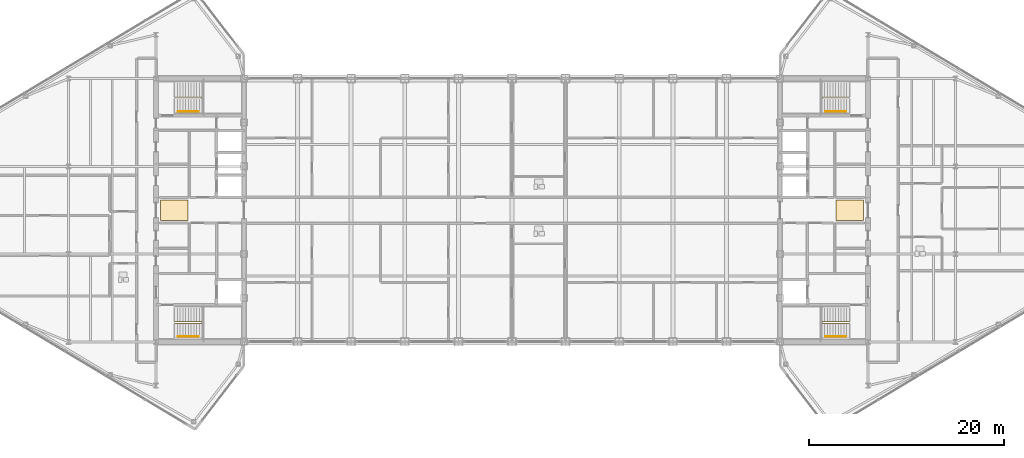
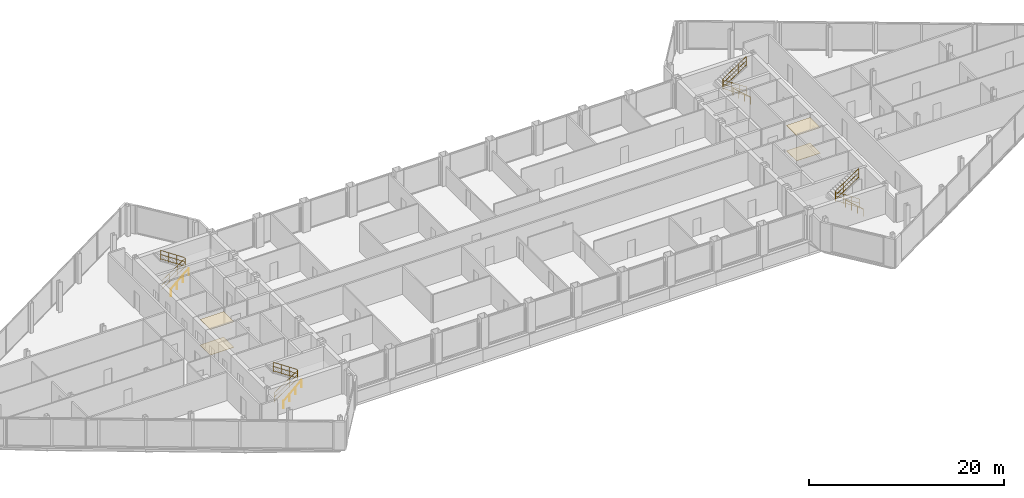
# One storey, part 28 of 29: 8 railings, 4 coverings.
"""IFC4 building model written with IfcOpenShell, lengths in metres."""

import ifcopenshell
import ifcopenshell.guid

model = None  # the IFC model being written
_history = None  # IfcOwnerHistory: only IFC2X3 demands one
_inside = {}  # id of a spatial element -> (the spatial element, [elements in it])
_under = {}  # id of a project, library or spatial element -> (it, [spatial elements below it])
_declared = {}  # id of a project -> (the project, [libraries it declares])
_typed = {}  # id of a type object -> (the type object, [elements of that type])
_made_of = {}  # id of a material, layer set ... -> (it, [elements and type objects made of it])


def new_model(schema):
    """Start an empty IFC model of exactly this schema.

    Asked for "IFC4X3", IfcOpenShell would pick the latest addendum, in which some entities
    have other attributes; the version numbers below select the first issue.
    IFC2X3 requires an IfcOwnerHistory on every rooted entity: one is made here for all.
    """
    global model, _history
    if schema == "IFC4X3":
        model = ifcopenshell.file(schema_version=(4, 3, 0, 0))
    else:
        model = ifcopenshell.file(schema=schema)
    _inside.clear()
    _under.clear()
    _declared.clear()
    _typed.clear()
    _made_of.clear()
    _history = None
    if model.schema == "IFC2X3":
        org = make("IfcOrganization", Name="unknown")
        user = make(
            "IfcPersonAndOrganization",
            ThePerson=make("IfcPerson", FamilyName="unknown"),
            TheOrganization=org,
        )
        app = make(
            "IfcApplication",
            ApplicationDeveloper=org,
            Version="unknown",
            ApplicationFullName="unknown",
            ApplicationIdentifier="unknown",
        )
        _history = make(
            "IfcOwnerHistory",
            OwningUser=user,
            OwningApplication=app,
            ChangeAction="ADDED",
            CreationDate=0,
        )
    return model


def make(cls, **values):
    """One entity of the class cls with the attributes given. An attribute that is None is left unset."""
    return model.create_entity(
        cls, **{name: value for name, value in values.items() if value is not None}
    )


def rooted(cls, **values):
    """An entity with a GlobalId (a new one), such as an element, a storey or a relation."""
    return make(cls, GlobalId=ifcopenshell.guid.new(), OwnerHistory=_history, **values)


def si_unit(unit_type, name, prefix=None):
    """IfcSIUnit, for example si_unit("LENGTHUNIT", "METRE", prefix="MILLI")."""
    return make("IfcSIUnit", UnitType=unit_type, Prefix=prefix, Name=name)


def assignment(units):
    """IfcUnitAssignment: the units of a project."""
    return None if units is None else make("IfcUnitAssignment", Units=units)


def point(xyz):
    """IfcCartesianPoint."""
    return None if xyz is None else make("IfcCartesianPoint", Coordinates=xyz)


def direction(xyz):
    """IfcDirection."""
    return None if xyz is None else make("IfcDirection", DirectionRatios=xyz)


def frame(location, z_axis=None, x_axis=None):
    """IfcAxis2Placement3D, a coordinate frame: its origin and axes. An axis left out is left unset."""
    return make(
        "IfcAxis2Placement3D",
        Location=point(location),
        Axis=direction(z_axis),
        RefDirection=direction(x_axis),
    )


def frame_2d(location, x_axis=None):
    """IfcAxis2Placement2D, a coordinate frame in the plane: its origin and x axis."""
    return make(
        "IfcAxis2Placement2D", Location=point(location), RefDirection=direction(x_axis)
    )


def origin():
    """The frame at (0, 0, 0) with its axes left unset."""
    return frame((0.0, 0.0, 0.0))


def origin_2d():
    """The frame at (0, 0) in the plane with its x axis left unset."""
    return frame_2d((0.0, 0.0))


def place(relative_to, where):
    """IfcLocalPlacement: puts the frame where relative to a parent placement (None: the world)."""
    return make(
        "IfcLocalPlacement", PlacementRelTo=relative_to, RelativePlacement=where
    )


def context(
    kind, dimensions, precision=None, world=None, true_north=None, identifier=None
):
    """IfcGeometricRepresentationContext, for example the 3D "Model" context."""
    return make(
        "IfcGeometricRepresentationContext",
        ContextIdentifier=identifier,
        ContextType=kind,
        CoordinateSpaceDimension=dimensions,
        Precision=precision,
        WorldCoordinateSystem=world,
        TrueNorth=true_north,
    )


def subcontext(parent, identifier, kind, view, scale=None):
    """IfcGeometricRepresentationSubContext, for example "Body" below "Model"."""
    return make(
        "IfcGeometricRepresentationSubContext",
        ContextIdentifier=identifier,
        ContextType=kind,
        ParentContext=parent,
        TargetScale=scale,
        TargetView=view,
    )


def project(units=None, contexts=None):
    """IfcProject with its units and contexts."""
    return rooted(
        "IfcProject",
        Name="project",
        RepresentationContexts=contexts,
        UnitsInContext=assignment(units),
    )


def spatial(cls, under=None, at=None, **own):
    """A site, building, storey or space (cls), placed at a placement, below another one or the project."""
    s = rooted(cls, ObjectPlacement=at, **own)
    if under is not None:
        _under.setdefault(under.id(), (under, []))[1].append(s)
    return s


def polyline(points):
    """IfcPolyline through the points."""
    return make("IfcPolyline", Points=[point(p) for p in points])


def profile(cls, at=None, kind="AREA", **sizes):
    """A parametric profile (cls). Its sizes go by their IFC names, for example OverallWidth=200.0."""
    return make(cls, ProfileType=kind, Position=at, **sizes)


def circle(**sizes):
    """IfcCircleProfileDef."""
    return profile("IfcCircleProfileDef", **sizes)


def outline(outer, holes=None, kind="AREA"):
    """IfcArbitraryClosedProfileDef: a profile drawn as a closed curve; with holes, ...WithVoids."""
    if holes is None:
        return make("IfcArbitraryClosedProfileDef", ProfileType=kind, OuterCurve=outer)
    return make(
        "IfcArbitraryProfileDefWithVoids",
        ProfileType=kind,
        OuterCurve=outer,
        InnerCurves=holes,
    )


def extrude(swept, where, along, depth):
    """IfcExtrudedAreaSolid: the profile swept, set in the frame where, extruded along a direction by depth."""
    return make(
        "IfcExtrudedAreaSolid",
        SweptArea=swept,
        Position=where,
        ExtrudedDirection=direction(along),
        Depth=depth,
    )


def shape(context_of_items, identifier, shape_type, items):
    """IfcShapeRepresentation: the items that make up one representation, for example the "Body"."""
    return make(
        "IfcShapeRepresentation",
        ContextOfItems=context_of_items,
        RepresentationIdentifier=identifier,
        RepresentationType=shape_type,
        Items=items,
    )


def material(Name=None, Category=None):
    """IfcMaterial."""
    return make("IfcMaterial", Name=Name, Category=Category)


def layer(
    of_material, thickness, ventilated=None, Name=None, Category=None, Priority=None
):
    """IfcMaterialLayer: one layer of a wall or slab, of a material (None: an air gap)."""
    return make(
        "IfcMaterialLayer",
        Material=of_material,
        LayerThickness=thickness,
        IsVentilated=ventilated,
        Name=Name,
        Category=Category,
        Priority=Priority,
    )


def layer_set(layers, Name=None):
    """IfcMaterialLayerSet."""
    return make("IfcMaterialLayerSet", MaterialLayers=layers, LayerSetName=Name)


def made_of(thing, what):
    """Note that an element or type object is made of a material, layer set ...; save() writes the relation."""
    if what is not None:
        _made_of.setdefault(what.id(), (what, []))[1].append(thing)
    return thing


def type_object(cls, material=None, **own):
    """A type object (cls), such as IfcWallType, which elements share."""
    return made_of(rooted(cls, **own), material)


def element(
    cls,
    number,
    at=None,
    inside=None,
    cuts=None,
    type_object=None,
    material=None,
    context=None,
    identifier="Body",
    shape_type=None,
    held_by="IfcProductDefinitionShape",
    body=None,
    shapes=None,
    **own,
):
    """One element of the class cls, such as IfcWall. Its Tag is "e" and its number.

    at: its placement. inside: the storey or other place that contains it. cuts: it is an
    opening in that element (IfcRelVoidsElement). A single representation is given by context,
    identifier, shape_type and body (its items); several are given by shapes. held_by: the class
    of the entity that holds the representations. save() writes the other relations.
    """
    e = rooted(cls, Tag="e%d" % number, ObjectPlacement=at, **own)
    if body is not None:
        shapes = [shape(context, identifier, shape_type, body)]
    if shapes is not None:
        e.Representation = make(held_by, Representations=shapes)
    if inside is not None:
        _inside.setdefault(inside.id(), (inside, []))[1].append(e)
    if cuts is not None:
        rooted(
            "IfcRelVoidsElement", RelatingBuildingElement=cuts, RelatedOpeningElement=e
        )
    if type_object is not None:
        _typed.setdefault(type_object.id(), (type_object, []))[1].append(e)
    return made_of(e, material)


def aggregate(whole, parts):
    """IfcRelAggregates: a whole, such as a stair, and the parts it consists of."""
    return rooted("IfcRelAggregates", RelatingObject=whole, RelatedObjects=parts)


def save(model, path):
    """Write the relations noted so far, then the file.

    IfcRelAggregates (storeys below a building ...), IfcRelContainedInSpatialStructure (elements
    in a storey), IfcRelDefinesByType, IfcRelAssociatesMaterial and IfcRelDeclares: one each for
    every whole, place, type object, material and project.
    """
    for whole, parts in _under.values():
        aggregate(whole, parts)
    for where, things in _inside.values():
        rooted(
            "IfcRelContainedInSpatialStructure",
            RelatedElements=things,
            RelatingStructure=where,
        )
    for kind, things in _typed.values():
        rooted("IfcRelDefinesByType", RelatedObjects=things, RelatingType=kind)
    for what, things in _made_of.values():
        rooted("IfcRelAssociatesMaterial", RelatedObjects=things, RelatingMaterial=what)
    for by, libraries in _declared.values():
        rooted("IfcRelDeclares", RelatingContext=by, RelatedDefinitions=libraries)
    model.write(path)


model = new_model("IFC4")

# Units and contexts
model_context = context("Model", 3, precision=1e-05, world=origin(), true_north=direction((0.0, 1.0)))
body_context = subcontext(model_context, "Body", "Model", "MODEL_VIEW")
ifc_project = project(units=[si_unit("LENGTHUNIT", "METRE"), si_unit("AREAUNIT", "SQUARE_METRE"), si_unit("VOLUMEUNIT", "CUBIC_METRE"), si_unit("PLANEANGLEUNIT", "RADIAN"), si_unit("MASSUNIT", "GRAM", prefix="KILO")], contexts=[model_context])

# Site, building, storey
site_placement = place(None, origin())
site = spatial("IfcSite", under=ifc_project, at=site_placement, CompositionType="ELEMENT")
building_placement = place(site_placement, origin())
building = spatial("IfcBuilding", under=site, at=building_placement, Name="Seokmaru Belvedere", CompositionType="ELEMENT")
storey_placement = place(building_placement, frame((0.0, 0.0, 239.39990234375)))
storey = spatial("IfcBuildingStorey", under=building, at=storey_placement, Name="L63", CompositionType="ELEMENT", Elevation=239.39990234375)

# Coverings
ifc_material_1 = material(Name="Engineered White Oak Timber", Category="wood")
ifc_layer_1 = layer(ifc_material_1, 0.02197265625)
ifc_layer_set_1 = layer_set([ifc_layer_1], Name="Engineered White Oak Timber")
covering_type_1 = type_object("IfcCoveringType", Name="Engineered Oak Residence Floor Finish 22", PredefinedType="FLOORING", material=ifc_layer_set_1)
covering_1_placement = place(storey_placement, origin())
element("IfcCovering", 1, at=covering_1_placement, inside=storey, type_object=covering_type_1, Name="L63 W Foyer Floor Finish", PredefinedType="FLOORING", context=body_context, shape_type="SweptSolid", body=[
    extrude(outline(polyline([(-36.050048828125, -1.050048828125), (-33.25, -1.050048828125), (-33.25, 1.050048828125), (-36.050048828125, 1.050048828125), (-36.050048828125, -1.050048828125)])), origin(), (0.0, 0.0, 1.0), 0.022216796875),
])
covering_2_placement = place(storey_placement, origin())
element("IfcCovering", 2, at=covering_2_placement, inside=storey, type_object=covering_type_1, Name="L63 E Foyer Floor Finish", PredefinedType="FLOORING", context=body_context, shape_type="SweptSolid", body=[
    extrude(outline(polyline([(33.25, -1.050048828125), (36.050048828125, -1.050048828125), (36.050048828125, 1.050048828125), (33.25, 1.050048828125), (33.25, -1.050048828125)])), origin(), (0.0, 0.0, 1.0), 0.022216796875),
])
ifc_material_2 = material(Name="Fire-Rated Gypsum Shaftwall")
ifc_layer_2 = layer(ifc_material_2, 0.02490234375)
ifc_layer_set_2 = layer_set([ifc_layer_2], Name="Fire-Rated Gypsum Shaftwall")
covering_type_2 = type_object("IfcCoveringType", Name="Perforated Acoustic Gypsum Suspended Ceiling 25", PredefinedType="CEILING", material=ifc_layer_set_2)
covering_3_placement = place(storey_placement, frame((0.0, 0.0, 3.18017578125)))
element("IfcCovering", 3, at=covering_3_placement, inside=storey, type_object=covering_type_2, Name="L63 W Lift Foyer Acoustic Ceiling", PredefinedType="CEILING", context=body_context, shape_type="SweptSolid", body=[
    extrude(outline(polyline([(-36.050048828125, -1.050048828125), (-33.25, -1.050048828125), (-33.25, 1.050048828125), (-36.050048828125, 1.050048828125), (-36.050048828125, -1.050048828125)])), origin(), (0.0, 0.0, 1.0), 0.02490234375),
])
covering_4_placement = place(storey_placement, frame((0.0, 0.0, 3.18017578125)))
element("IfcCovering", 4, at=covering_4_placement, inside=storey, type_object=covering_type_2, Name="L63 E Lift Foyer Acoustic Ceiling", PredefinedType="CEILING", context=body_context, shape_type="SweptSolid", body=[
    extrude(outline(polyline([(33.25, -1.050048828125), (36.050048828125, -1.050048828125), (36.050048828125, 1.050048828125), (33.25, 1.050048828125), (33.25, -1.050048828125)])), origin(), (0.0, 0.0, 1.0), 0.02490234375),
])

# Railings
ifc_material_3 = material(Name="Stainless Steel 316", Category="steel")
railing_type_1 = type_object("IfcRailingType", Name="Stainless Steel Wall and Flight Handrail 900", PredefinedType="HANDRAIL", material=ifc_material_3)
for number, where, name in (
    (5, (-34.25, -12.949951171875, 0.0), "L63 Stair ST-W1 Wall Handrail"),
    (6, (-34.25, 10.110107421875, 0.0), "L63 Stair ST-W2 Wall Handrail"),
):
    element("IfcRailing", number, at=place(storey_placement, frame(where)), inside=storey, type_object=railing_type_1, Name=name, PredefinedType="HANDRAIL", context=body_context, shape_type="SweptSolid", body=[
        extrude(circle(Radius=0.02392578125, at=origin_2d()), frame((0.0, 0.0, 0.8759765625), z_axis=(0.74595304797, 0.0, 0.665998536202), x_axis=(0.0, 1.0, 0.0)), (0.0, 0.0, 1.0), 2.8154296875),
        extrude(circle(Radius=0.02099609375, at=origin_2d()), origin(), (0.0, 0.0, 1.0), 0.851806640625),
        extrude(circle(Radius=0.02099609375, at=origin_2d()), frame((0.699951171875, 0.0, 0.625)), (0.0, 0.0, 1.0), 0.851806640625),
        extrude(circle(Radius=0.02099609375, at=origin_2d()), frame((1.400146484375, 0.0, 1.25)), (0.0, 0.0, 1.0), 0.851806640625),
        extrude(circle(Radius=0.02099609375, at=origin_2d()), frame((2.10009765625, 0.0, 1.875)), (0.0, 0.0, 1.0), 0.851806640625),
    ])
for number, where, name in (
    (7, (34.25, -12.949951171875, 0.0), "L63 Stair ST-E1 Wall Handrail"),
    (8, (34.25, 10.110107421875, 0.0), "L63 Stair ST-E2 Wall Handrail"),
):
    element("IfcRailing", number, at=place(storey_placement, frame(where)), inside=storey, type_object=railing_type_1, Name=name, PredefinedType="HANDRAIL", context=body_context, shape_type="SweptSolid", body=[
        extrude(circle(Radius=0.02392578125, at=origin_2d()), frame((0.0, 0.0, 0.8759765625), z_axis=(-0.74595304797, 0.0, 0.665998536202), x_axis=(0.0, -1.0, 0.0)), (0.0, 0.0, 1.0), 2.8154296875),
        extrude(circle(Radius=0.02099609375, at=origin_2d()), origin(), (0.0, 0.0, 1.0), 0.851806640625),
        extrude(circle(Radius=0.02099609375, at=origin_2d()), frame((-0.699951171875, 0.0, 0.625)), (0.0, 0.0, 1.0), 0.851806640625),
        extrude(circle(Radius=0.02099609375, at=origin_2d()), frame((-1.400146484375, 0.0, 1.25)), (0.0, 0.0, 1.0), 0.851806640625),
        extrude(circle(Radius=0.02099609375, at=origin_2d()), frame((-2.10009765625, 0.0, 1.875)), (0.0, 0.0, 1.0), 0.851806640625),
    ])
railing_type_2 = type_object("IfcRailingType", Name="Stair Well and Atrium Steel Guardrail 1200", PredefinedType="GUARDRAIL", material=ifc_material_3)
railing_1_placement = place(storey_placement, frame((-34.60009765625, -11.60009765625, 0.0)))
element("IfcRailing", 9, at=railing_1_placement, inside=storey, type_object=railing_type_2, Name="L63 Stair ST-W1 Inner Well Guardrail", PredefinedType="GUARDRAIL", context=body_context, shape_type="SweptSolid", body=[
    extrude(circle(Radius=0.02392578125, at=origin_2d()), frame((0.0, 0.0, 1.17578125), z_axis=(0.830911662861, 0.0, 0.55640435703), x_axis=(0.0, 1.0, 0.0)), (0.0, 0.0, 1.0), 3.369873046875),
    extrude(circle(Radius=0.02392578125, at=origin_2d()), frame((0.0, 0.0, 0.1201171875), z_axis=(0.830911662861, 0.0, 0.55640435703), x_axis=(0.0, 1.0, 0.0)), (0.0, 0.0, 1.0), 3.369873046875),
    extrude(circle(Radius=0.02392578125, at=origin_2d()), frame((0.0, 0.0, 0.659912109375), z_axis=(0.830911662861, 0.0, 0.55640435703), x_axis=(0.0, 1.0, 0.0)), (0.0, 0.0, 1.0), 3.369873046875),
    extrude(circle(Radius=0.02392578125, at=origin_2d()), frame((2.800048828125, 0.0, 3.05078125), z_axis=(0.0, 1.0, 0.0), x_axis=(-1.0, 0.0, 0.0)), (0.0, 0.0, 1.0), 0.14013671875),
    extrude(circle(Radius=0.02392578125, at=origin_2d()), frame((2.800048828125, 0.0, 1.9951171875), z_axis=(0.0, 1.0, 0.0), x_axis=(-1.0, 0.0, 0.0)), (0.0, 0.0, 1.0), 0.14013671875),
    extrude(circle(Radius=0.02392578125, at=origin_2d()), frame((2.800048828125, 0.0, 2.534912109375), z_axis=(0.0, 1.0, 0.0), x_axis=(-1.0, 0.0, 0.0)), (0.0, 0.0, 1.0), 0.14013671875),
    extrude(circle(Radius=0.02392578125, at=origin_2d()), frame((2.800048828125, 0.14013671875, 3.05078125), z_axis=(-0.830911662861, 0.0, 0.55640435703), x_axis=(0.0, -1.0, 0.0)), (0.0, 0.0, 1.0), 3.369873046875),
    extrude(circle(Radius=0.02392578125, at=origin_2d()), frame((2.800048828125, 0.14013671875, 1.9951171875), z_axis=(-0.830911662861, 0.0, 0.55640435703), x_axis=(0.0, -1.0, 0.0)), (0.0, 0.0, 1.0), 3.369873046875),
    extrude(circle(Radius=0.02392578125, at=origin_2d()), frame((2.800048828125, 0.14013671875, 2.534912109375), z_axis=(-0.830911662861, 0.0, 0.55640435703), x_axis=(0.0, -1.0, 0.0)), (0.0, 0.0, 1.0), 3.369873046875),
    extrude(circle(Radius=0.02099609375, at=origin_2d()), origin(), (0.0, 0.0, 1.0), 1.15185546875),
    extrude(circle(Radius=0.02099609375, at=origin_2d()), frame((0.933349609375, 0.0, 0.625)), (0.0, 0.0, 1.0), 1.15185546875),
    extrude(circle(Radius=0.02099609375, at=origin_2d()), frame((1.86669921875, 0.0, 1.25)), (0.0, 0.0, 1.0), 1.15185546875),
    extrude(circle(Radius=0.02099609375, at=origin_2d()), frame((2.800048828125, 0.0, 1.875)), (0.0, 0.0, 1.0), 1.15185546875),
    extrude(circle(Radius=0.02099609375, at=origin_2d()), frame((2.800048828125, 0.14013671875, 1.875)), (0.0, 0.0, 1.0), 1.15185546875),
    extrude(circle(Radius=0.02099609375, at=origin_2d()), frame((1.86669921875, 0.14013671875, 2.5)), (0.0, 0.0, 1.0), 1.15185546875),
    extrude(circle(Radius=0.02099609375, at=origin_2d()), frame((0.933349609375, 0.14013671875, 3.125)), (0.0, 0.0, 1.0), 1.15185546875),
    extrude(circle(Radius=0.02099609375, at=origin_2d()), frame((0.0, 0.14013671875, 3.75)), (0.0, 0.0, 1.0), 1.15185546875),
])
railing_2_placement = place(storey_placement, frame((-34.60009765625, 11.4599609375, 0.0)))
element("IfcRailing", 10, at=railing_2_placement, inside=storey, type_object=railing_type_2, Name="L63 Stair ST-W2 Inner Well Guardrail", PredefinedType="GUARDRAIL", context=body_context, shape_type="SweptSolid", body=[
    extrude(circle(Radius=0.02392578125, at=origin_2d()), frame((0.0, 0.0, 1.17578125), z_axis=(0.830911662861, 0.0, 0.55640435703), x_axis=(0.0, 1.0, 0.0)), (0.0, 0.0, 1.0), 3.369873046875),
    extrude(circle(Radius=0.02392578125, at=origin_2d()), frame((0.0, 0.0, 0.1201171875), z_axis=(0.830911662861, 0.0, 0.55640435703), x_axis=(0.0, 1.0, 0.0)), (0.0, 0.0, 1.0), 3.369873046875),
    extrude(circle(Radius=0.02392578125, at=origin_2d()), frame((0.0, 0.0, 0.659912109375), z_axis=(0.830911662861, 0.0, 0.55640435703), x_axis=(0.0, 1.0, 0.0)), (0.0, 0.0, 1.0), 3.369873046875),
    extrude(circle(Radius=0.02392578125, at=origin_2d()), frame((2.800048828125, 0.0, 3.05078125), z_axis=(0.0, 1.0, 0.0), x_axis=(-1.0, 0.0, 0.0)), (0.0, 0.0, 1.0), 0.14013671875),
    extrude(circle(Radius=0.02392578125, at=origin_2d()), frame((2.800048828125, 0.0, 1.9951171875), z_axis=(0.0, 1.0, 0.0), x_axis=(-1.0, 0.0, 0.0)), (0.0, 0.0, 1.0), 0.14013671875),
    extrude(circle(Radius=0.02392578125, at=origin_2d()), frame((2.800048828125, 0.0, 2.534912109375), z_axis=(0.0, 1.0, 0.0), x_axis=(-1.0, 0.0, 0.0)), (0.0, 0.0, 1.0), 0.14013671875),
    extrude(circle(Radius=0.02392578125, at=origin_2d()), frame((2.800048828125, 0.14013671875, 3.05078125), z_axis=(-0.830911662861, 0.0, 0.55640435703), x_axis=(0.0, -1.0, 0.0)), (0.0, 0.0, 1.0), 3.369873046875),
    extrude(circle(Radius=0.02392578125, at=origin_2d()), frame((2.800048828125, 0.14013671875, 1.9951171875), z_axis=(-0.830911662861, 0.0, 0.55640435703), x_axis=(0.0, -1.0, 0.0)), (0.0, 0.0, 1.0), 3.369873046875),
    extrude(circle(Radius=0.02392578125, at=origin_2d()), frame((2.800048828125, 0.14013671875, 2.534912109375), z_axis=(-0.830911662861, 0.0, 0.55640435703), x_axis=(0.0, -1.0, 0.0)), (0.0, 0.0, 1.0), 3.369873046875),
    extrude(circle(Radius=0.02099609375, at=origin_2d()), origin(), (0.0, 0.0, 1.0), 1.15185546875),
    extrude(circle(Radius=0.02099609375, at=origin_2d()), frame((0.933349609375, 0.0, 0.625)), (0.0, 0.0, 1.0), 1.15185546875),
    extrude(circle(Radius=0.02099609375, at=origin_2d()), frame((1.86669921875, 0.0, 1.25)), (0.0, 0.0, 1.0), 1.15185546875),
    extrude(circle(Radius=0.02099609375, at=origin_2d()), frame((2.800048828125, 0.0, 1.875)), (0.0, 0.0, 1.0), 1.15185546875),
    extrude(circle(Radius=0.02099609375, at=origin_2d()), frame((2.800048828125, 0.14013671875, 1.875)), (0.0, 0.0, 1.0), 1.15185546875),
    extrude(circle(Radius=0.02099609375, at=origin_2d()), frame((1.86669921875, 0.14013671875, 2.5)), (0.0, 0.0, 1.0), 1.15185546875),
    extrude(circle(Radius=0.02099609375, at=origin_2d()), frame((0.933349609375, 0.14013671875, 3.125)), (0.0, 0.0, 1.0), 1.15185546875),
    extrude(circle(Radius=0.02099609375, at=origin_2d()), frame((0.0, 0.14013671875, 3.75)), (0.0, 0.0, 1.0), 1.15185546875),
])
railing_3_placement = place(storey_placement, frame((34.60009765625, -11.60009765625, 0.0)))
element("IfcRailing", 11, at=railing_3_placement, inside=storey, type_object=railing_type_2, Name="L63 Stair ST-E1 Inner Well Guardrail", PredefinedType="GUARDRAIL", context=body_context, shape_type="SweptSolid", body=[
    extrude(circle(Radius=0.02392578125, at=origin_2d()), frame((0.0, 0.0, 1.17578125), z_axis=(-0.830911662861, 0.0, 0.55640435703), x_axis=(0.0, -1.0, 0.0)), (0.0, 0.0, 1.0), 3.369873046875),
    extrude(circle(Radius=0.02392578125, at=origin_2d()), frame((0.0, 0.0, 0.1201171875), z_axis=(-0.830911662861, 0.0, 0.55640435703), x_axis=(0.0, -1.0, 0.0)), (0.0, 0.0, 1.0), 3.369873046875),
    extrude(circle(Radius=0.02392578125, at=origin_2d()), frame((0.0, 0.0, 0.659912109375), z_axis=(-0.830911662861, 0.0, 0.55640435703), x_axis=(0.0, -1.0, 0.0)), (0.0, 0.0, 1.0), 3.369873046875),
    extrude(circle(Radius=0.02392578125, at=origin_2d()), frame((-2.800048828125, 0.0, 3.05078125), z_axis=(0.0, 1.0, 0.0), x_axis=(-1.0, 0.0, 0.0)), (0.0, 0.0, 1.0), 0.14013671875),
    extrude(circle(Radius=0.02392578125, at=origin_2d()), frame((-2.800048828125, 0.0, 1.9951171875), z_axis=(0.0, 1.0, 0.0), x_axis=(-1.0, 0.0, 0.0)), (0.0, 0.0, 1.0), 0.14013671875),
    extrude(circle(Radius=0.02392578125, at=origin_2d()), frame((-2.800048828125, 0.0, 2.534912109375), z_axis=(0.0, 1.0, 0.0), x_axis=(-1.0, 0.0, 0.0)), (0.0, 0.0, 1.0), 0.14013671875),
    extrude(circle(Radius=0.02392578125, at=origin_2d()), frame((-2.800048828125, 0.14013671875, 3.05078125), z_axis=(0.830911662861, 0.0, 0.55640435703), x_axis=(0.0, 1.0, 0.0)), (0.0, 0.0, 1.0), 3.369873046875),
    extrude(circle(Radius=0.02392578125, at=origin_2d()), frame((-2.800048828125, 0.14013671875, 1.9951171875), z_axis=(0.830911662861, 0.0, 0.55640435703), x_axis=(0.0, 1.0, 0.0)), (0.0, 0.0, 1.0), 3.369873046875),
    extrude(circle(Radius=0.02392578125, at=origin_2d()), frame((-2.800048828125, 0.14013671875, 2.534912109375), z_axis=(0.830911662861, 0.0, 0.55640435703), x_axis=(0.0, 1.0, 0.0)), (0.0, 0.0, 1.0), 3.369873046875),
    extrude(circle(Radius=0.02099609375, at=origin_2d()), origin(), (0.0, 0.0, 1.0), 1.15185546875),
    extrude(circle(Radius=0.02099609375, at=origin_2d()), frame((-0.933349609375, 0.0, 0.625)), (0.0, 0.0, 1.0), 1.15185546875),
    extrude(circle(Radius=0.02099609375, at=origin_2d()), frame((-1.86669921875, 0.0, 1.25)), (0.0, 0.0, 1.0), 1.15185546875),
    extrude(circle(Radius=0.02099609375, at=origin_2d()), frame((-2.800048828125, 0.0, 1.875)), (0.0, 0.0, 1.0), 1.15185546875),
    extrude(circle(Radius=0.02099609375, at=origin_2d()), frame((-2.800048828125, 0.14013671875, 1.875)), (0.0, 0.0, 1.0), 1.15185546875),
    extrude(circle(Radius=0.02099609375, at=origin_2d()), frame((-1.86669921875, 0.14013671875, 2.5)), (0.0, 0.0, 1.0), 1.15185546875),
    extrude(circle(Radius=0.02099609375, at=origin_2d()), frame((-0.933349609375, 0.14013671875, 3.125)), (0.0, 0.0, 1.0), 1.15185546875),
    extrude(circle(Radius=0.02099609375, at=origin_2d()), frame((0.0, 0.14013671875, 3.75)), (0.0, 0.0, 1.0), 1.15185546875),
])
railing_4_placement = place(storey_placement, frame((34.60009765625, 11.4599609375, 0.0)))
element("IfcRailing", 12, at=railing_4_placement, inside=storey, type_object=railing_type_2, Name="L63 Stair ST-E2 Inner Well Guardrail", PredefinedType="GUARDRAIL", context=body_context, shape_type="SweptSolid", body=[
    extrude(circle(Radius=0.02392578125, at=origin_2d()), frame((0.0, 0.0, 1.17578125), z_axis=(-0.830911662861, 0.0, 0.55640435703), x_axis=(0.0, -1.0, 0.0)), (0.0, 0.0, 1.0), 3.369873046875),
    extrude(circle(Radius=0.02392578125, at=origin_2d()), frame((0.0, 0.0, 0.1201171875), z_axis=(-0.830911662861, 0.0, 0.55640435703), x_axis=(0.0, -1.0, 0.0)), (0.0, 0.0, 1.0), 3.369873046875),
    extrude(circle(Radius=0.02392578125, at=origin_2d()), frame((0.0, 0.0, 0.659912109375), z_axis=(-0.830911662861, 0.0, 0.55640435703), x_axis=(0.0, -1.0, 0.0)), (0.0, 0.0, 1.0), 3.369873046875),
    extrude(circle(Radius=0.02392578125, at=origin_2d()), frame((-2.800048828125, 0.0, 3.05078125), z_axis=(0.0, 1.0, 0.0), x_axis=(-1.0, 0.0, 0.0)), (0.0, 0.0, 1.0), 0.14013671875),
    extrude(circle(Radius=0.02392578125, at=origin_2d()), frame((-2.800048828125, 0.0, 1.9951171875), z_axis=(0.0, 1.0, 0.0), x_axis=(-1.0, 0.0, 0.0)), (0.0, 0.0, 1.0), 0.14013671875),
    extrude(circle(Radius=0.02392578125, at=origin_2d()), frame((-2.800048828125, 0.0, 2.534912109375), z_axis=(0.0, 1.0, 0.0), x_axis=(-1.0, 0.0, 0.0)), (0.0, 0.0, 1.0), 0.14013671875),
    extrude(circle(Radius=0.02392578125, at=origin_2d()), frame((-2.800048828125, 0.14013671875, 3.05078125), z_axis=(0.830911662861, 0.0, 0.55640435703), x_axis=(0.0, 1.0, 0.0)), (0.0, 0.0, 1.0), 3.369873046875),
    extrude(circle(Radius=0.02392578125, at=origin_2d()), frame((-2.800048828125, 0.14013671875, 1.9951171875), z_axis=(0.830911662861, 0.0, 0.55640435703), x_axis=(0.0, 1.0, 0.0)), (0.0, 0.0, 1.0), 3.369873046875),
    extrude(circle(Radius=0.02392578125, at=origin_2d()), frame((-2.800048828125, 0.14013671875, 2.534912109375), z_axis=(0.830911662861, 0.0, 0.55640435703), x_axis=(0.0, 1.0, 0.0)), (0.0, 0.0, 1.0), 3.369873046875),
    extrude(circle(Radius=0.02099609375, at=origin_2d()), origin(), (0.0, 0.0, 1.0), 1.15185546875),
    extrude(circle(Radius=0.02099609375, at=origin_2d()), frame((-0.933349609375, 0.0, 0.625)), (0.0, 0.0, 1.0), 1.15185546875),
    extrude(circle(Radius=0.02099609375, at=origin_2d()), frame((-1.86669921875, 0.0, 1.25)), (0.0, 0.0, 1.0), 1.15185546875),
    extrude(circle(Radius=0.02099609375, at=origin_2d()), frame((-2.800048828125, 0.0, 1.875)), (0.0, 0.0, 1.0), 1.15185546875),
    extrude(circle(Radius=0.02099609375, at=origin_2d()), frame((-2.800048828125, 0.14013671875, 1.875)), (0.0, 0.0, 1.0), 1.15185546875),
    extrude(circle(Radius=0.02099609375, at=origin_2d()), frame((-1.86669921875, 0.14013671875, 2.5)), (0.0, 0.0, 1.0), 1.15185546875),
    extrude(circle(Radius=0.02099609375, at=origin_2d()), frame((-0.933349609375, 0.14013671875, 3.125)), (0.0, 0.0, 1.0), 1.15185546875),
    extrude(circle(Radius=0.02099609375, at=origin_2d()), frame((0.0, 0.14013671875, 3.75)), (0.0, 0.0, 1.0), 1.15185546875),
])

save(model, "model.ifc")
